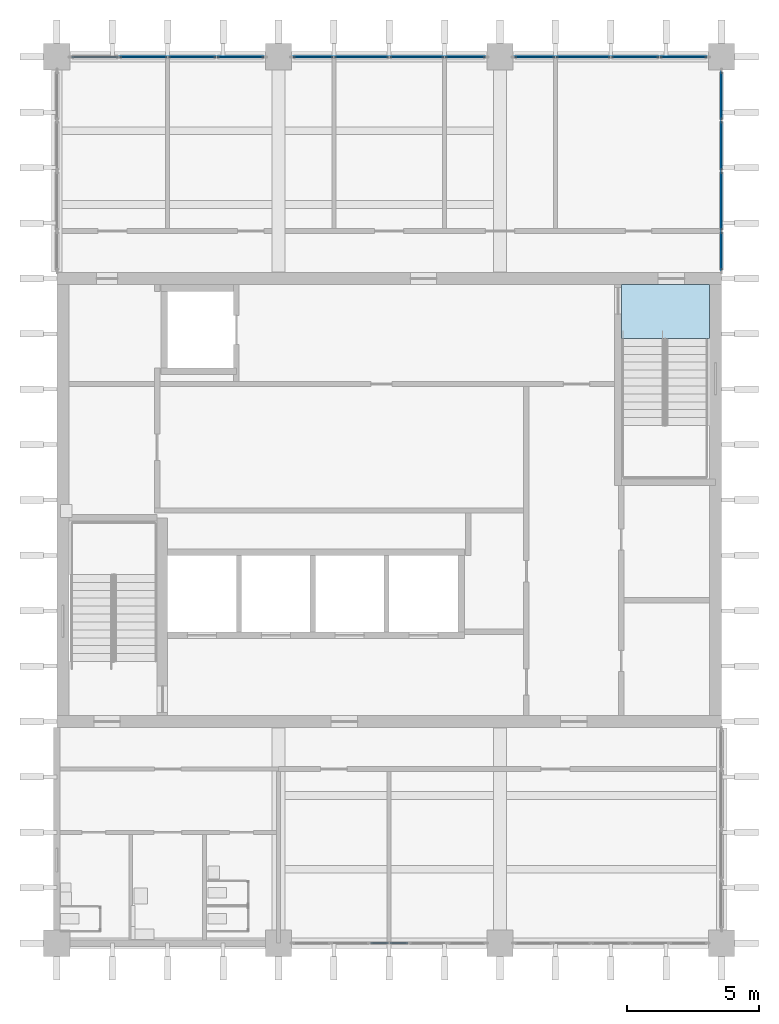
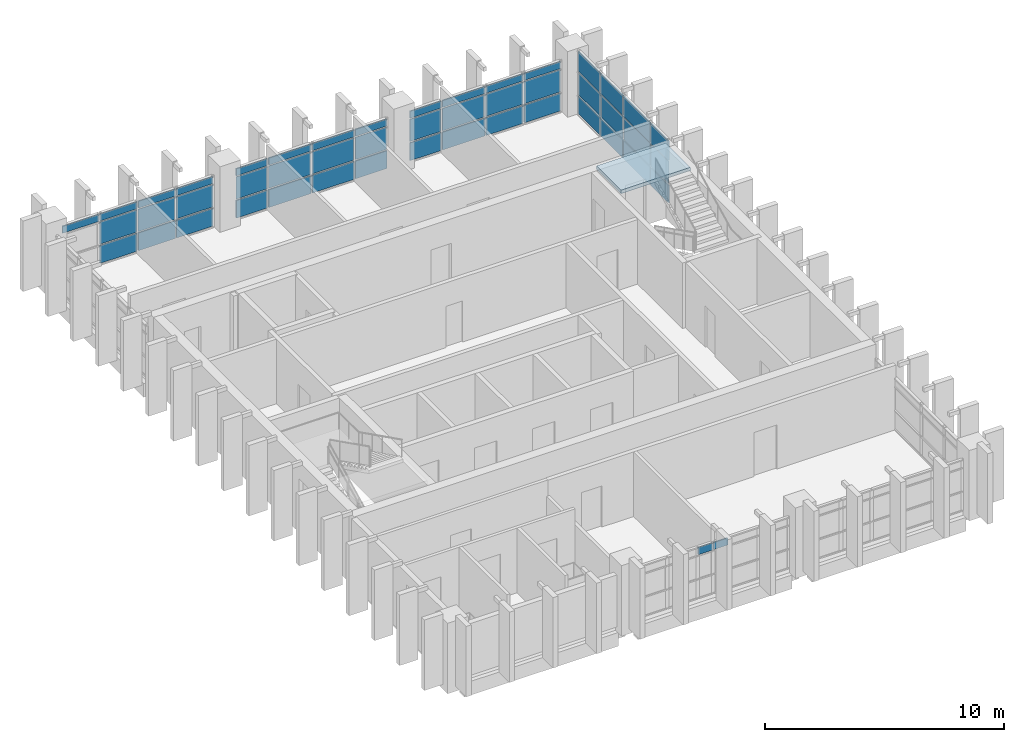
# One storey, part 6 of 11: 48 plates, 1 slab, 6 elements without a shape of their own.
"""IFC4 building model written with IfcOpenShell, lengths in metres."""

from ifc_helpers import new_model, si_unit, direction, frame, origin, origin_2d, place, context, subcontext, project, spatial, polyline, rectangle, outline, extrude, material, layer, layer_set, type_object, element, aggregate, save


model = new_model("IFC4")

# Units and contexts
model_context = context("Model", 3, precision=1e-05, world=origin(), true_north=direction((0.0, 1.0)))
body_context = subcontext(model_context, "Body", "Model", "MODEL_VIEW")
ifc_project = project(units=[si_unit("LENGTHUNIT", "METRE"), si_unit("AREAUNIT", "SQUARE_METRE"), si_unit("VOLUMEUNIT", "CUBIC_METRE"), si_unit("PLANEANGLEUNIT", "RADIAN"), si_unit("MASSUNIT", "GRAM", prefix="KILO")], contexts=[model_context])

# Site, building, storey
site_placement = place(None, origin())
site = spatial("IfcSite", under=ifc_project, at=site_placement, CompositionType="ELEMENT")
building_placement = place(site_placement, origin())
building = spatial("IfcBuilding", under=site, at=building_placement, Name="Rulbaag Community and Learning Centre", CompositionType="ELEMENT")
storey_placement = place(building_placement, frame((0.0, 0.0, 18.0)))
storey = spatial("IfcBuildingStorey", under=building, at=storey_placement, Name="L04", CompositionType="ELEMENT", Elevation=18.0)

# Curtain wall, plates
ifc_material_1 = material(Name="Aluminium", Category="aluminium")
ifc_layer_1 = layer(ifc_material_1, 0.14990234375)
ifc_layer_set_1 = layer_set([ifc_layer_1], Name="CW-S")
curtain_wall_type_1 = type_object("IfcCurtainWallType", Name="CW-S", PredefinedType="USERDEFINED", material=ifc_layer_set_1)
curtain_wall_1_placement = place(storey_placement, origin())
curtain_wall_1 = element("IfcCurtainWall", 1, at=curtain_wall_1_placement, inside=storey, type_object=curtain_wall_type_1, Name="GS-L04-01", ObjectType="UNITISED CURTAIN WALL", PredefinedType="USERDEFINED")
ifc_layer_2 = layer(ifc_material_1, 0.054931640625)
ifc_layer_set_2 = layer_set([ifc_layer_2], Name="CW-S-SPN")
plate_type_1 = type_object("IfcPlateType", Name="CW-S-SPN", PredefinedType="CURTAIN_PANEL", material=ifc_layer_set_2)
plate_1_placement = place(storey_placement, frame((155.030029296875, 84.0, 2.22998046875), z_axis=(0.0, 0.0, 1.0), x_axis=(1.0, 0.0, 0.0)))
plate_1 = element("IfcPlate", 2, at=plate_1_placement, type_object=plate_type_1, Name="GS spandrel panel", PredefinedType="CURTAIN_PANEL", context=body_context, shape_type="SweptSolid", body=[
    extrude(rectangle(XDim=0.679931640625, YDim=0.054931640625, at=origin_2d()), origin(), (0.0, 0.0, 1.0), 0.360107421875),
])
plate_2_placement = place(storey_placement, frame((155.77001953125, 84.0, 2.22998046875), z_axis=(0.0, 0.0, 1.0), x_axis=(1.0, 0.0, 0.0)))
plate_2 = element("IfcPlate", 3, at=plate_2_placement, type_object=plate_type_1, Name="GS spandrel panel", PredefinedType="CURTAIN_PANEL", context=body_context, shape_type="SweptSolid", body=[
    extrude(rectangle(XDim=0.679931640625, YDim=0.054931640625, at=origin_2d()), origin(), (0.0, 0.0, 1.0), 0.360107421875),
])
aggregate(curtain_wall_1, [plate_1, plate_2])

ifc_layer_3 = layer(ifc_material_1, 0.14990234375)
ifc_layer_set_3 = layer_set([ifc_layer_3], Name="CW-T")
curtain_wall_type_2 = type_object("IfcCurtainWallType", Name="CW-T", PredefinedType="USERDEFINED", material=ifc_layer_set_3)
curtain_wall_2_placement = place(storey_placement, origin())
curtain_wall_2 = element("IfcCurtainWall", 4, at=curtain_wall_2_placement, inside=storey, type_object=curtain_wall_type_2, Name="GT-L04-01", ObjectType="UNITISED CURTAIN WALL", PredefinedType="USERDEFINED")
ifc_layer_4 = layer(ifc_material_1, 0.06005859375)
ifc_layer_set_4 = layer_set([ifc_layer_4], Name="CW-T-SPN")
plate_type_2 = type_object("IfcPlateType", Name="CW-T-SPN", PredefinedType="CURTAIN_PANEL", material=ifc_layer_set_4)
plate_3_placement = place(storey_placement, frame((144.2412109375, 117.60009765625, 2.232421875), z_axis=(0.0, 0.0, 1.0), x_axis=(1.0, 0.0, 0.0)))
plate_3 = element("IfcPlate", 5, at=plate_3_placement, type_object=plate_type_2, Name="GT spandrel panel", PredefinedType="CURTAIN_PANEL", context=body_context, shape_type="SweptSolid", body=[
    extrude(rectangle(XDim=1.75244140625, YDim=0.06005859375, at=origin_2d()), origin(), (0.0, 0.0, 1.0), 0.3525390625),
])
plate_4_placement = place(storey_placement, frame((146.074951171875, 117.60009765625, 0.06494140625), z_axis=(0.0, 0.0, 1.0), x_axis=(1.0, 0.0, 0.0)))
plate_4 = element("IfcPlate", 6, at=plate_4_placement, type_object=plate_type_2, Name="GT spandrel panel", PredefinedType="CURTAIN_PANEL", context=body_context, shape_type="SweptSolid", body=[
    extrude(rectangle(XDim=1.784912109375, YDim=0.06005859375, at=origin_2d()), origin(), (0.0, 0.0, 1.0), 0.902587890625),
])
plate_5_placement = place(storey_placement, frame((146.074951171875, 117.60009765625, 2.232421875), z_axis=(0.0, 0.0, 1.0), x_axis=(1.0, 0.0, 0.0)))
plate_5 = element("IfcPlate", 7, at=plate_5_placement, type_object=plate_type_2, Name="GT spandrel panel", PredefinedType="CURTAIN_PANEL", context=body_context, shape_type="SweptSolid", body=[
    extrude(rectangle(XDim=1.784912109375, YDim=0.06005859375, at=origin_2d()), origin(), (0.0, 0.0, 1.0), 0.3525390625),
])
plate_6_placement = place(storey_placement, frame((147.925048828125, 117.60009765625, 0.06494140625), z_axis=(0.0, 0.0, 1.0), x_axis=(1.0, 0.0, 0.0)))
plate_6 = element("IfcPlate", 8, at=plate_6_placement, type_object=plate_type_2, Name="GT spandrel panel", PredefinedType="CURTAIN_PANEL", context=body_context, shape_type="SweptSolid", body=[
    extrude(rectangle(XDim=1.784912109375, YDim=0.06005859375, at=origin_2d()), origin(), (0.0, 0.0, 1.0), 0.902587890625),
])
plate_7_placement = place(storey_placement, frame((147.925048828125, 117.60009765625, 2.232421875), z_axis=(0.0, 0.0, 1.0), x_axis=(1.0, 0.0, 0.0)))
plate_7 = element("IfcPlate", 9, at=plate_7_placement, type_object=plate_type_2, Name="GT spandrel panel", PredefinedType="CURTAIN_PANEL", context=body_context, shape_type="SweptSolid", body=[
    extrude(rectangle(XDim=1.784912109375, YDim=0.06005859375, at=origin_2d()), origin(), (0.0, 0.0, 1.0), 0.3525390625),
])
plate_8_placement = place(storey_placement, frame((149.7587890625, 117.60009765625, 0.06494140625), z_axis=(0.0, 0.0, 1.0), x_axis=(1.0, 0.0, 0.0)))
plate_8 = element("IfcPlate", 10, at=plate_8_placement, type_object=plate_type_2, Name="GT spandrel panel", PredefinedType="CURTAIN_PANEL", context=body_context, shape_type="SweptSolid", body=[
    extrude(rectangle(XDim=1.75244140625, YDim=0.06005859375, at=origin_2d()), origin(), (0.0, 0.0, 1.0), 0.902587890625),
])
plate_9_placement = place(storey_placement, frame((149.7587890625, 117.60009765625, 2.232421875), z_axis=(0.0, 0.0, 1.0), x_axis=(1.0, 0.0, 0.0)))
plate_9 = element("IfcPlate", 11, at=plate_9_placement, type_object=plate_type_2, Name="GT spandrel panel", PredefinedType="CURTAIN_PANEL", context=body_context, shape_type="SweptSolid", body=[
    extrude(rectangle(XDim=1.75244140625, YDim=0.06005859375, at=origin_2d()), origin(), (0.0, 0.0, 1.0), 0.3525390625),
])

curtain_wall_3_placement = place(storey_placement, origin())
curtain_wall_3 = element("IfcCurtainWall", 12, at=curtain_wall_3_placement, inside=storey, type_object=curtain_wall_type_2, Name="GT-L04-02", ObjectType="UNITISED CURTAIN WALL", PredefinedType="USERDEFINED")
plate_10_placement = place(storey_placement, frame((152.516357421875, 117.60009765625, 0.06494140625), z_axis=(0.0, 0.0, 1.0), x_axis=(1.0, 0.0, 0.0)))
plate_10 = element("IfcPlate", 13, at=plate_10_placement, type_object=plate_type_2, Name="GT spandrel panel", PredefinedType="CURTAIN_PANEL", context=body_context, shape_type="SweptSolid", body=[
    extrude(rectangle(XDim=1.50244140625, YDim=0.06005859375, at=origin_2d()), origin(), (0.0, 0.0, 1.0), 0.902587890625),
])
plate_11_placement = place(storey_placement, frame((152.516357421875, 117.60009765625, 2.232421875), z_axis=(0.0, 0.0, 1.0), x_axis=(1.0, 0.0, 0.0)))
plate_11 = element("IfcPlate", 14, at=plate_11_placement, type_object=plate_type_2, Name="GT spandrel panel", PredefinedType="CURTAIN_PANEL", context=body_context, shape_type="SweptSolid", body=[
    extrude(rectangle(XDim=1.50244140625, YDim=0.06005859375, at=origin_2d()), origin(), (0.0, 0.0, 1.0), 0.3525390625),
])
plate_12_placement = place(storey_placement, frame((154.35009765625, 117.60009765625, 0.06494140625), z_axis=(0.0, 0.0, 1.0), x_axis=(1.0, 0.0, 0.0)))
plate_12 = element("IfcPlate", 15, at=plate_12_placement, type_object=plate_type_2, Name="GT spandrel panel", PredefinedType="CURTAIN_PANEL", context=body_context, shape_type="SweptSolid", body=[
    extrude(rectangle(XDim=2.034912109375, YDim=0.06005859375, at=origin_2d()), origin(), (0.0, 0.0, 1.0), 0.902587890625),
])
plate_13_placement = place(storey_placement, frame((154.35009765625, 117.60009765625, 2.232421875), z_axis=(0.0, 0.0, 1.0), x_axis=(1.0, 0.0, 0.0)))
plate_13 = element("IfcPlate", 16, at=plate_13_placement, type_object=plate_type_2, Name="GT spandrel panel", PredefinedType="CURTAIN_PANEL", context=body_context, shape_type="SweptSolid", body=[
    extrude(rectangle(XDim=2.034912109375, YDim=0.06005859375, at=origin_2d()), origin(), (0.0, 0.0, 1.0), 0.3525390625),
])
plate_14_placement = place(storey_placement, frame((156.449951171875, 117.60009765625, 0.06494140625), z_axis=(0.0, 0.0, 1.0), x_axis=(1.0, 0.0, 0.0)))
plate_14 = element("IfcPlate", 17, at=plate_14_placement, type_object=plate_type_2, Name="GT spandrel panel", PredefinedType="CURTAIN_PANEL", context=body_context, shape_type="SweptSolid", body=[
    extrude(rectangle(XDim=2.034912109375, YDim=0.06005859375, at=origin_2d()), origin(), (0.0, 0.0, 1.0), 0.902587890625),
])
plate_15_placement = place(storey_placement, frame((156.449951171875, 117.60009765625, 2.232421875), z_axis=(0.0, 0.0, 1.0), x_axis=(1.0, 0.0, 0.0)))
plate_15 = element("IfcPlate", 18, at=plate_15_placement, type_object=plate_type_2, Name="GT spandrel panel", PredefinedType="CURTAIN_PANEL", context=body_context, shape_type="SweptSolid", body=[
    extrude(rectangle(XDim=2.034912109375, YDim=0.06005859375, at=origin_2d()), origin(), (0.0, 0.0, 1.0), 0.3525390625),
])
plate_16_placement = place(storey_placement, frame((158.28369140625, 117.60009765625, 0.06494140625), z_axis=(0.0, 0.0, 1.0), x_axis=(1.0, 0.0, 0.0)))
plate_16 = element("IfcPlate", 19, at=plate_16_placement, type_object=plate_type_2, Name="GT spandrel panel", PredefinedType="CURTAIN_PANEL", context=body_context, shape_type="SweptSolid", body=[
    extrude(rectangle(XDim=1.50244140625, YDim=0.06005859375, at=origin_2d()), origin(), (0.0, 0.0, 1.0), 0.902587890625),
])
plate_17_placement = place(storey_placement, frame((158.28369140625, 117.60009765625, 2.232421875), z_axis=(0.0, 0.0, 1.0), x_axis=(1.0, 0.0, 0.0)))
plate_17 = element("IfcPlate", 20, at=plate_17_placement, type_object=plate_type_2, Name="GT spandrel panel", PredefinedType="CURTAIN_PANEL", context=body_context, shape_type="SweptSolid", body=[
    extrude(rectangle(XDim=1.50244140625, YDim=0.06005859375, at=origin_2d()), origin(), (0.0, 0.0, 1.0), 0.3525390625),
])

curtain_wall_4_placement = place(storey_placement, origin())
curtain_wall_4 = element("IfcCurtainWall", 21, at=curtain_wall_4_placement, inside=storey, type_object=curtain_wall_type_2, Name="GT-L04-03", ObjectType="UNITISED CURTAIN WALL", PredefinedType="USERDEFINED")
plate_18_placement = place(storey_placement, frame((160.916259765625, 117.60009765625, 0.06494140625), z_axis=(0.0, 0.0, 1.0), x_axis=(1.0, 0.0, 0.0)))
plate_18 = element("IfcPlate", 22, at=plate_18_placement, type_object=plate_type_2, Name="GT spandrel panel", PredefinedType="CURTAIN_PANEL", context=body_context, shape_type="SweptSolid", body=[
    extrude(rectangle(XDim=1.50244140625, YDim=0.06005859375, at=origin_2d()), origin(), (0.0, 0.0, 1.0), 0.902587890625),
])
plate_19_placement = place(storey_placement, frame((160.916259765625, 117.60009765625, 2.232421875), z_axis=(0.0, 0.0, 1.0), x_axis=(1.0, 0.0, 0.0)))
plate_19 = element("IfcPlate", 23, at=plate_19_placement, type_object=plate_type_2, Name="GT spandrel panel", PredefinedType="CURTAIN_PANEL", context=body_context, shape_type="SweptSolid", body=[
    extrude(rectangle(XDim=1.50244140625, YDim=0.06005859375, at=origin_2d()), origin(), (0.0, 0.0, 1.0), 0.3525390625),
])
plate_20_placement = place(storey_placement, frame((162.75, 117.60009765625, 0.06494140625), z_axis=(0.0, 0.0, 1.0), x_axis=(1.0, 0.0, 0.0)))
plate_20 = element("IfcPlate", 24, at=plate_20_placement, type_object=plate_type_2, Name="GT spandrel panel", PredefinedType="CURTAIN_PANEL", context=body_context, shape_type="SweptSolid", body=[
    extrude(rectangle(XDim=2.034912109375, YDim=0.06005859375, at=origin_2d()), origin(), (0.0, 0.0, 1.0), 0.902587890625),
])
plate_21_placement = place(storey_placement, frame((162.75, 117.60009765625, 2.232421875), z_axis=(0.0, 0.0, 1.0), x_axis=(1.0, 0.0, 0.0)))
plate_21 = element("IfcPlate", 25, at=plate_21_placement, type_object=plate_type_2, Name="GT spandrel panel", PredefinedType="CURTAIN_PANEL", context=body_context, shape_type="SweptSolid", body=[
    extrude(rectangle(XDim=2.034912109375, YDim=0.06005859375, at=origin_2d()), origin(), (0.0, 0.0, 1.0), 0.3525390625),
])
plate_22_placement = place(storey_placement, frame((164.72509765625, 117.60009765625, 0.06494140625), z_axis=(0.0, 0.0, 1.0), x_axis=(1.0, 0.0, 0.0)))
plate_22 = element("IfcPlate", 26, at=plate_22_placement, type_object=plate_type_2, Name="GT spandrel panel", PredefinedType="CURTAIN_PANEL", context=body_context, shape_type="SweptSolid", body=[
    extrude(rectangle(XDim=1.784912109375, YDim=0.06005859375, at=origin_2d()), origin(), (0.0, 0.0, 1.0), 0.902587890625),
])
plate_23_placement = place(storey_placement, frame((164.72509765625, 117.60009765625, 2.232421875), z_axis=(0.0, 0.0, 1.0), x_axis=(1.0, 0.0, 0.0)))
plate_23 = element("IfcPlate", 27, at=plate_23_placement, type_object=plate_type_2, Name="GT spandrel panel", PredefinedType="CURTAIN_PANEL", context=body_context, shape_type="SweptSolid", body=[
    extrude(rectangle(XDim=1.784912109375, YDim=0.06005859375, at=origin_2d()), origin(), (0.0, 0.0, 1.0), 0.3525390625),
])
plate_24_placement = place(storey_placement, frame((166.558837890625, 117.60009765625, 0.06494140625), z_axis=(0.0, 0.0, 1.0), x_axis=(1.0, 0.0, 0.0)))
plate_24 = element("IfcPlate", 28, at=plate_24_placement, type_object=plate_type_2, Name="GT spandrel panel", PredefinedType="CURTAIN_PANEL", context=body_context, shape_type="SweptSolid", body=[
    extrude(rectangle(XDim=1.75244140625, YDim=0.06005859375, at=origin_2d()), origin(), (0.0, 0.0, 1.0), 0.902587890625),
])
plate_25_placement = place(storey_placement, frame((166.558837890625, 117.60009765625, 2.232421875), z_axis=(0.0, 0.0, 1.0), x_axis=(1.0, 0.0, 0.0)))
plate_25 = element("IfcPlate", 29, at=plate_25_placement, type_object=plate_type_2, Name="GT spandrel panel", PredefinedType="CURTAIN_PANEL", context=body_context, shape_type="SweptSolid", body=[
    extrude(rectangle(XDim=1.75244140625, YDim=0.06005859375, at=origin_2d()), origin(), (0.0, 0.0, 1.0), 0.3525390625),
])

curtain_wall_5_placement = place(storey_placement, origin())
curtain_wall_5 = element("IfcCurtainWall", 30, at=curtain_wall_5_placement, inside=storey, type_object=curtain_wall_type_2, Name="GT-L04-06", ObjectType="UNITISED CURTAIN WALL", PredefinedType="USERDEFINED")
plate_26_placement = place(storey_placement, frame((168.0, 110.2412109375, 0.06494140625), z_axis=(0.0, 0.0, 1.0), x_axis=(0.0, 1.0, 0.0)))
plate_26 = element("IfcPlate", 31, at=plate_26_placement, type_object=plate_type_2, Name="GT spandrel panel", PredefinedType="CURTAIN_PANEL", context=body_context, shape_type="SweptSolid", body=[
    extrude(rectangle(XDim=1.452392578125, YDim=0.06005859375, at=origin_2d()), origin(), (0.0, 0.0, 1.0), 0.902587890625),
])
plate_27_placement = place(storey_placement, frame((168.0, 110.2412109375, 2.232421875), z_axis=(0.0, 0.0, 1.0), x_axis=(0.0, 1.0, 0.0)))
plate_27 = element("IfcPlate", 32, at=plate_27_placement, type_object=plate_type_2, Name="GT spandrel panel", PredefinedType="CURTAIN_PANEL", context=body_context, shape_type="SweptSolid", body=[
    extrude(rectangle(XDim=1.452392578125, YDim=0.06005859375, at=origin_2d()), origin(), (0.0, 0.0, 1.0), 1.00244140625),
])
plate_28_placement = place(storey_placement, frame((168.0, 112.137451171875, 0.06494140625), z_axis=(0.0, 0.0, 1.0), x_axis=(0.0, 1.0, 0.0)))
plate_28 = element("IfcPlate", 33, at=plate_28_placement, type_object=plate_type_2, Name="GT spandrel panel", PredefinedType="CURTAIN_PANEL", context=body_context, shape_type="SweptSolid", body=[
    extrude(rectangle(XDim=2.2099609375, YDim=0.06005859375, at=origin_2d()), origin(), (0.0, 0.0, 1.0), 0.902587890625),
])
plate_29_placement = place(storey_placement, frame((168.0, 112.137451171875, 2.232421875), z_axis=(0.0, 0.0, 1.0), x_axis=(0.0, 1.0, 0.0)))
plate_29 = element("IfcPlate", 34, at=plate_29_placement, type_object=plate_type_2, Name="GT spandrel panel", PredefinedType="CURTAIN_PANEL", context=body_context, shape_type="SweptSolid", body=[
    extrude(rectangle(XDim=2.2099609375, YDim=0.06005859375, at=origin_2d()), origin(), (0.0, 0.0, 1.0), 1.00244140625),
])
plate_30_placement = place(storey_placement, frame((168.0, 114.231201171875, 0.06494140625), z_axis=(0.0, 0.0, 1.0), x_axis=(0.0, 1.0, 0.0)))
plate_30 = element("IfcPlate", 35, at=plate_30_placement, type_object=plate_type_2, Name="GT spandrel panel", PredefinedType="CURTAIN_PANEL", context=body_context, shape_type="SweptSolid", body=[
    extrude(rectangle(XDim=1.847412109375, YDim=0.06005859375, at=origin_2d()), origin(), (0.0, 0.0, 1.0), 0.902587890625),
])
plate_31_placement = place(storey_placement, frame((168.0, 114.231201171875, 2.232421875), z_axis=(0.0, 0.0, 1.0), x_axis=(0.0, 1.0, 0.0)))
plate_31 = element("IfcPlate", 36, at=plate_31_placement, type_object=plate_type_2, Name="GT spandrel panel", PredefinedType="CURTAIN_PANEL", context=body_context, shape_type="SweptSolid", body=[
    extrude(rectangle(XDim=1.847412109375, YDim=0.06005859375, at=origin_2d()), origin(), (0.0, 0.0, 1.0), 1.00244140625),
])
plate_32_placement = place(storey_placement, frame((168.0, 116.12744140625, 0.06494140625), z_axis=(0.0, 0.0, 1.0), x_axis=(0.0, 1.0, 0.0)))
plate_32 = element("IfcPlate", 37, at=plate_32_placement, type_object=plate_type_2, Name="GT spandrel panel", PredefinedType="CURTAIN_PANEL", context=body_context, shape_type="SweptSolid", body=[
    extrude(rectangle(XDim=1.81494140625, YDim=0.06005859375, at=origin_2d()), origin(), (0.0, 0.0, 1.0), 0.902587890625),
])
plate_33_placement = place(storey_placement, frame((168.0, 116.12744140625, 2.232421875), z_axis=(0.0, 0.0, 1.0), x_axis=(0.0, 1.0, 0.0)))
plate_33 = element("IfcPlate", 38, at=plate_33_placement, type_object=plate_type_2, Name="GT spandrel panel", PredefinedType="CURTAIN_PANEL", context=body_context, shape_type="SweptSolid", body=[
    extrude(rectangle(XDim=1.81494140625, YDim=0.06005859375, at=origin_2d()), origin(), (0.0, 0.0, 1.0), 1.00244140625),
])

# Plate
ifc_material_2 = material(Name="Glass", Category="glass")
ifc_layer_5 = layer(ifc_material_2, 0.028076171875)
ifc_layer_set_5 = layer_set([ifc_layer_5], Name="CW-T-VIS")
plate_type_3 = type_object("IfcPlateType", Name="CW-T-VIS", PredefinedType="CURTAIN_PANEL", material=ifc_layer_set_5)
plate_34_placement = place(storey_placement, frame((146.074951171875, 117.60009765625, 1.03271484375), z_axis=(0.0, 0.0, 1.0), x_axis=(1.0, 0.0, 0.0)))
plate_34 = element("IfcPlate", 39, at=plate_34_placement, type_object=plate_type_3, Name="GT vision panel", PredefinedType="CURTAIN_PANEL", context=body_context, shape_type="SweptSolid", body=[
    extrude(rectangle(XDim=1.784912109375, YDim=0.028076171875, at=origin_2d()), origin(), (0.0, 0.0, 1.0), 1.135009765625),
])

plate_35_placement = place(storey_placement, frame((147.925048828125, 117.60009765625, 1.03271484375), z_axis=(0.0, 0.0, 1.0), x_axis=(1.0, 0.0, 0.0)))
plate_35 = element("IfcPlate", 40, at=plate_35_placement, type_object=plate_type_3, Name="GT vision panel", PredefinedType="CURTAIN_PANEL", context=body_context, shape_type="SweptSolid", body=[
    extrude(rectangle(XDim=1.784912109375, YDim=0.028076171875, at=origin_2d()), origin(), (0.0, 0.0, 1.0), 1.135009765625),
])

plate_36_placement = place(storey_placement, frame((149.7587890625, 117.60009765625, 1.03271484375), z_axis=(0.0, 0.0, 1.0), x_axis=(1.0, 0.0, 0.0)))
plate_36 = element("IfcPlate", 41, at=plate_36_placement, type_object=plate_type_3, Name="GT vision panel", PredefinedType="CURTAIN_PANEL", context=body_context, shape_type="SweptSolid", body=[
    extrude(rectangle(XDim=1.75244140625, YDim=0.028076171875, at=origin_2d()), origin(), (0.0, 0.0, 1.0), 1.135009765625),
])

aggregate(curtain_wall_2, [plate_3, plate_4, plate_34, plate_5, plate_6, plate_35, plate_7, plate_8, plate_36, plate_9])

plate_37_placement = place(storey_placement, frame((152.516357421875, 117.60009765625, 1.03271484375), z_axis=(0.0, 0.0, 1.0), x_axis=(1.0, 0.0, 0.0)))
plate_37 = element("IfcPlate", 42, at=plate_37_placement, type_object=plate_type_3, Name="GT vision panel", PredefinedType="CURTAIN_PANEL", context=body_context, shape_type="SweptSolid", body=[
    extrude(rectangle(XDim=1.50244140625, YDim=0.028076171875, at=origin_2d()), origin(), (0.0, 0.0, 1.0), 1.135009765625),
])

plate_38_placement = place(storey_placement, frame((154.35009765625, 117.60009765625, 1.03271484375), z_axis=(0.0, 0.0, 1.0), x_axis=(1.0, 0.0, 0.0)))
plate_38 = element("IfcPlate", 43, at=plate_38_placement, type_object=plate_type_3, Name="GT vision panel", PredefinedType="CURTAIN_PANEL", context=body_context, shape_type="SweptSolid", body=[
    extrude(rectangle(XDim=2.034912109375, YDim=0.028076171875, at=origin_2d()), origin(), (0.0, 0.0, 1.0), 1.135009765625),
])

plate_39_placement = place(storey_placement, frame((156.449951171875, 117.60009765625, 1.03271484375), z_axis=(0.0, 0.0, 1.0), x_axis=(1.0, 0.0, 0.0)))
plate_39 = element("IfcPlate", 44, at=plate_39_placement, type_object=plate_type_3, Name="GT vision panel", PredefinedType="CURTAIN_PANEL", context=body_context, shape_type="SweptSolid", body=[
    extrude(rectangle(XDim=2.034912109375, YDim=0.028076171875, at=origin_2d()), origin(), (0.0, 0.0, 1.0), 1.135009765625),
])

plate_40_placement = place(storey_placement, frame((158.28369140625, 117.60009765625, 1.03271484375), z_axis=(0.0, 0.0, 1.0), x_axis=(1.0, 0.0, 0.0)))
plate_40 = element("IfcPlate", 45, at=plate_40_placement, type_object=plate_type_3, Name="GT vision panel", PredefinedType="CURTAIN_PANEL", context=body_context, shape_type="SweptSolid", body=[
    extrude(rectangle(XDim=1.50244140625, YDim=0.028076171875, at=origin_2d()), origin(), (0.0, 0.0, 1.0), 1.135009765625),
])

aggregate(curtain_wall_3, [plate_10, plate_37, plate_11, plate_12, plate_38, plate_13, plate_14, plate_39, plate_15, plate_16, plate_40, plate_17])

plate_41_placement = place(storey_placement, frame((160.916259765625, 117.60009765625, 1.03271484375), z_axis=(0.0, 0.0, 1.0), x_axis=(1.0, 0.0, 0.0)))
plate_41 = element("IfcPlate", 46, at=plate_41_placement, type_object=plate_type_3, Name="GT vision panel", PredefinedType="CURTAIN_PANEL", context=body_context, shape_type="SweptSolid", body=[
    extrude(rectangle(XDim=1.50244140625, YDim=0.028076171875, at=origin_2d()), origin(), (0.0, 0.0, 1.0), 1.135009765625),
])

plate_42_placement = place(storey_placement, frame((162.75, 117.60009765625, 1.03271484375), z_axis=(0.0, 0.0, 1.0), x_axis=(1.0, 0.0, 0.0)))
plate_42 = element("IfcPlate", 47, at=plate_42_placement, type_object=plate_type_3, Name="GT vision panel", PredefinedType="CURTAIN_PANEL", context=body_context, shape_type="SweptSolid", body=[
    extrude(rectangle(XDim=2.034912109375, YDim=0.028076171875, at=origin_2d()), origin(), (0.0, 0.0, 1.0), 1.135009765625),
])

plate_43_placement = place(storey_placement, frame((164.72509765625, 117.60009765625, 1.03271484375), z_axis=(0.0, 0.0, 1.0), x_axis=(1.0, 0.0, 0.0)))
plate_43 = element("IfcPlate", 48, at=plate_43_placement, type_object=plate_type_3, Name="GT vision panel", PredefinedType="CURTAIN_PANEL", context=body_context, shape_type="SweptSolid", body=[
    extrude(rectangle(XDim=1.784912109375, YDim=0.028076171875, at=origin_2d()), origin(), (0.0, 0.0, 1.0), 1.135009765625),
])

plate_44_placement = place(storey_placement, frame((166.558837890625, 117.60009765625, 1.03271484375), z_axis=(0.0, 0.0, 1.0), x_axis=(1.0, 0.0, 0.0)))
plate_44 = element("IfcPlate", 49, at=plate_44_placement, type_object=plate_type_3, Name="GT vision panel", PredefinedType="CURTAIN_PANEL", context=body_context, shape_type="SweptSolid", body=[
    extrude(rectangle(XDim=1.75244140625, YDim=0.028076171875, at=origin_2d()), origin(), (0.0, 0.0, 1.0), 1.135009765625),
])

aggregate(curtain_wall_4, [plate_18, plate_41, plate_19, plate_20, plate_42, plate_21, plate_22, plate_43, plate_23, plate_24, plate_44, plate_25])

plate_45_placement = place(storey_placement, frame((168.0, 110.2412109375, 1.03271484375), z_axis=(0.0, 0.0, 1.0), x_axis=(0.0, 1.0, 0.0)))
plate_45 = element("IfcPlate", 50, at=plate_45_placement, type_object=plate_type_3, Name="GT vision panel", PredefinedType="CURTAIN_PANEL", context=body_context, shape_type="SweptSolid", body=[
    extrude(rectangle(XDim=1.452392578125, YDim=0.028076171875, at=origin_2d()), origin(), (0.0, 0.0, 1.0), 1.135009765625),
])

plate_46_placement = place(storey_placement, frame((168.0, 112.137451171875, 1.03271484375), z_axis=(0.0, 0.0, 1.0), x_axis=(0.0, 1.0, 0.0)))
plate_46 = element("IfcPlate", 51, at=plate_46_placement, type_object=plate_type_3, Name="GT vision panel", PredefinedType="CURTAIN_PANEL", context=body_context, shape_type="SweptSolid", body=[
    extrude(rectangle(XDim=2.2099609375, YDim=0.028076171875, at=origin_2d()), origin(), (0.0, 0.0, 1.0), 1.135009765625),
])

plate_47_placement = place(storey_placement, frame((168.0, 114.231201171875, 1.03271484375), z_axis=(0.0, 0.0, 1.0), x_axis=(0.0, 1.0, 0.0)))
plate_47 = element("IfcPlate", 52, at=plate_47_placement, type_object=plate_type_3, Name="GT vision panel", PredefinedType="CURTAIN_PANEL", context=body_context, shape_type="SweptSolid", body=[
    extrude(rectangle(XDim=1.847412109375, YDim=0.028076171875, at=origin_2d()), origin(), (0.0, 0.0, 1.0), 1.135009765625),
])

plate_48_placement = place(storey_placement, frame((168.0, 116.12744140625, 1.03271484375), z_axis=(0.0, 0.0, 1.0), x_axis=(0.0, 1.0, 0.0)))
plate_48 = element("IfcPlate", 53, at=plate_48_placement, type_object=plate_type_3, Name="GT vision panel", PredefinedType="CURTAIN_PANEL", context=body_context, shape_type="SweptSolid", body=[
    extrude(rectangle(XDim=1.81494140625, YDim=0.028076171875, at=origin_2d()), origin(), (0.0, 0.0, 1.0), 1.135009765625),
])

aggregate(curtain_wall_5, [plate_26, plate_45, plate_27, plate_28, plate_46, plate_29, plate_30, plate_47, plate_31, plate_32, plate_48, plate_33])

# Stair, slab
ifc_material_3 = material(Name="Concrete M40", Category="concrete")
stair_type = type_object("IfcStairType", Name="ST-1650 STAIR 1650 WIDE", PredefinedType="HALF_TURN_STAIR", material=ifc_material_3)
stair_placement = place(storey_placement, origin())
stair = element("IfcStair", 54, at=stair_placement, inside=storey, type_object=stair_type, Name="Stair ST2 L04", PredefinedType="HALF_TURN_STAIR")
ifc_layer_6 = layer(ifc_material_3, 0.179931640625)
ifc_layer_set_6 = layer_set([ifc_layer_6], Name="LN-180 LANDING 180 Concrete M40")
slab_type = type_object("IfcSlabType", Name="LN-180 LANDING 180 Concrete M40", PredefinedType="LANDING", material=ifc_layer_set_6)
slab_placement = place(storey_placement, frame((0.0, 0.0, 3.419921875)))
slab = element("IfcSlab", 55, at=slab_placement, type_object=slab_type, Name="ST2 landing 2", PredefinedType="LANDING", context=body_context, shape_type="SweptSolid", body=[
    extrude(outline(polyline([(164.199951171875, 106.925048828125), (164.199951171875, 108.97509765625), (167.550048828125, 108.97509765625), (167.550048828125, 106.925048828125), (164.199951171875, 106.925048828125)])), origin(), (0.0, 0.0, 1.0), 0.18017578125),
])
aggregate(stair, [slab])

save(model, "model.ifc")
